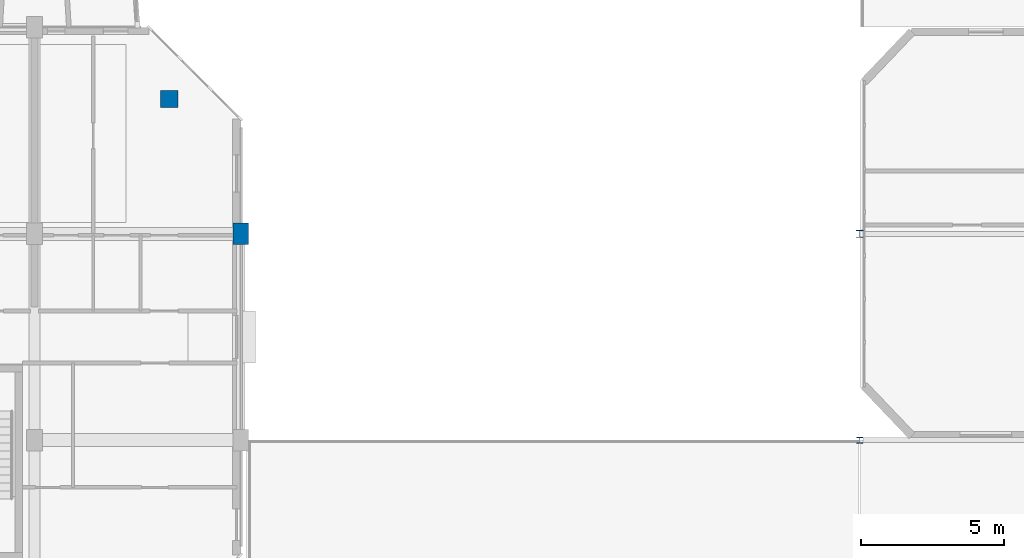
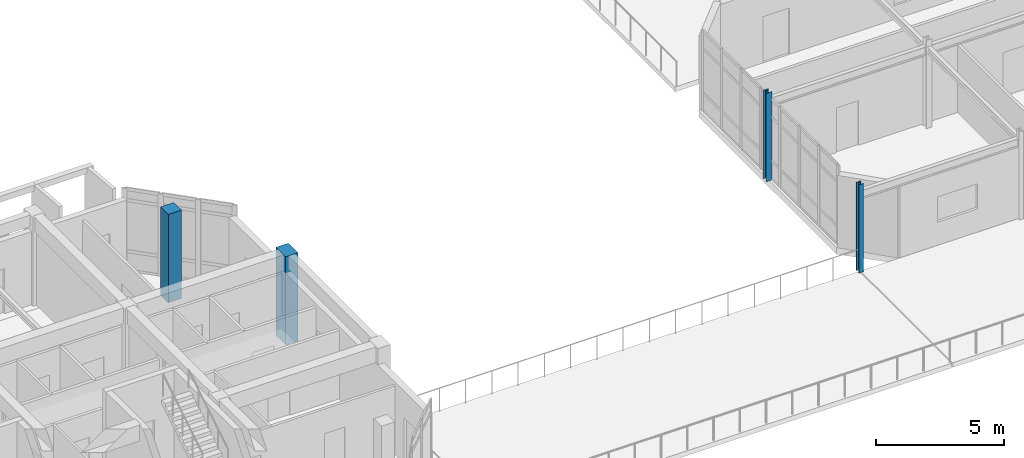
# One storey, part 11 of 85: 4 columns.
"""IFC4 building model written with IfcOpenShell, lengths in metres."""

from ifc_helpers import new_model, si_unit, direction, frame, origin, origin_2d, place, context, subcontext, project, spatial, rectangle, i_section, extrude, material, material_profile, profile_set, type_object, element, save


model = new_model("IFC4")

# Units and contexts
model_context = context("Model", 3, precision=1e-05, world=origin(), true_north=direction((0.0, 1.0)))
body_context = subcontext(model_context, "Body", "Model", "MODEL_VIEW")
ifc_project = project(units=[si_unit("LENGTHUNIT", "METRE"), si_unit("AREAUNIT", "SQUARE_METRE"), si_unit("VOLUMEUNIT", "CUBIC_METRE"), si_unit("PLANEANGLEUNIT", "RADIAN"), si_unit("MASSUNIT", "GRAM", prefix="KILO")], contexts=[model_context])

# Site, building, storey
site_placement = place(None, origin())
site = spatial("IfcSite", under=ifc_project, at=site_placement, CompositionType="ELEMENT")
building_placement = place(site_placement, origin())
building = spatial("IfcBuilding", under=site, at=building_placement, Name="Ochrevale Crest", CompositionType="ELEMENT")
storey_placement = place(building_placement, frame((0.0, 0.0, 4.5)))
storey = spatial("IfcBuildingStorey", under=building, at=storey_placement, Name="L01", CompositionType="ELEMENT", Elevation=4.5)

# Columns
ifc_material_1 = material(Name="Precast concrete C50/60", Category="concrete")
ifc_material_profile_1 = material_profile(ifc_material_1, rectangle(XDim=0.550048828125, YDim=0.75, at=origin_2d()), Name="RC 550x750")
ifc_profile_set_1 = profile_set([ifc_material_profile_1], Name="Precast concrete C50/60")
column_type_1 = type_object("IfcColumnType", Name="COL-RC550x750", PredefinedType="COLUMN", material=ifc_profile_set_1)
column_1_placement = place(storey_placement, frame((36.0, 86.39990234375, 0.0), z_axis=(0.0, 0.0, 1.0), x_axis=(1.0, 0.0, 0.0)))
element("IfcColumn", 1, at=column_1_placement, inside=storey, type_object=column_type_1, Name="Block B L01 column (36.0,86.4)", PredefinedType="COLUMN", context=body_context, shape_type="SweptSolid", body=[
    extrude(rectangle(XDim=0.550048828125, YDim=0.75, at=origin_2d()), origin(), (0.0, 0.0, 1.0), 4.199951171875),
])
ifc_material_profile_2 = material_profile(ifc_material_1, rectangle(XDim=0.60009765625, YDim=0.60009765625, at=origin_2d()), Name="RC 600x600")
ifc_profile_set_2 = profile_set([ifc_material_profile_2], Name="Precast concrete C50/60")
column_type_2 = type_object("IfcColumnType", Name="COL-RC600x600", PredefinedType="COLUMN", material=ifc_profile_set_2)
column_2_placement = place(storey_placement, frame((33.5, 91.10009765625, 0.0), z_axis=(0.0, 0.0, 1.0), x_axis=(1.0, 0.0, 0.0)))
element("IfcColumn", 2, at=column_2_placement, inside=storey, type_object=column_type_2, Name="Block B L01 column (33.5,91.1)", PredefinedType="COLUMN", context=body_context, shape_type="SweptSolid", body=[
    extrude(rectangle(XDim=0.60009765625, YDim=0.60009765625, at=origin_2d()), origin(), (0.0, 0.0, 1.0), 4.199951171875),
])
ifc_material_2 = material(Name="Steel S355", Category="steel")
ifc_material_profile_3 = material_profile(ifc_material_2, i_section(OverallWidth=0.205078125, OverallDepth=0.209716796875, WebThickness=0.00927734375, FlangeThickness=0.01416015625, FilletRadius=0.01025390625, at=origin_2d()), Name="200UC59.5")
ifc_profile_set_3 = profile_set([ifc_material_profile_3], Name="Steel S355")
column_type_3 = type_object("IfcColumnType", Name="COL-UC200B", PredefinedType="COLUMN", material=ifc_profile_set_3)
column_3_placement = place(storey_placement, frame((57.60009765625, 79.199951171875, 0.0), z_axis=(0.0, 0.0, 1.0), x_axis=(1.0, 0.0, 0.0)))
element("IfcColumn", 3, at=column_3_placement, inside=storey, type_object=column_type_3, Name="Nursery L01 steel column (57.6,79.2)", PredefinedType="COLUMN", context=body_context, shape_type="SweptSolid", body=[
    extrude(i_section(OverallWidth=0.205078125, OverallDepth=0.209716796875, WebThickness=0.00927734375, FlangeThickness=0.01416015625, FilletRadius=0.01025390625, at=origin_2d()), origin(), (0.0, 0.0, 1.0), 4.199951171875),
])
ifc_material_profile_4 = material_profile(ifc_material_2, i_section(OverallWidth=0.25390625, OverallDepth=0.25390625, WebThickness=0.008544921875, FlangeThickness=0.01416015625, FilletRadius=0.0126953125, at=origin_2d()), Name="250UC72.9")
ifc_profile_set_4 = profile_set([ifc_material_profile_4], Name="Steel S355")
column_type_4 = type_object("IfcColumnType", Name="COL-UC250A", PredefinedType="COLUMN", material=ifc_profile_set_4)
column_4_placement = place(storey_placement, frame((57.60009765625, 86.39990234375, 0.0), z_axis=(0.0, 0.0, 1.0), x_axis=(1.0, 0.0, 0.0)))
element("IfcColumn", 4, at=column_4_placement, inside=storey, type_object=column_type_4, Name="Nursery L01 steel column (57.6,86.4)", PredefinedType="COLUMN", context=body_context, shape_type="SweptSolid", body=[
    extrude(i_section(OverallWidth=0.25390625, OverallDepth=0.25390625, WebThickness=0.008544921875, FlangeThickness=0.01416015625, FilletRadius=0.0126953125, at=origin_2d()), origin(), (0.0, 0.0, 1.0), 4.199951171875),
])

save(model, "model.ifc")
